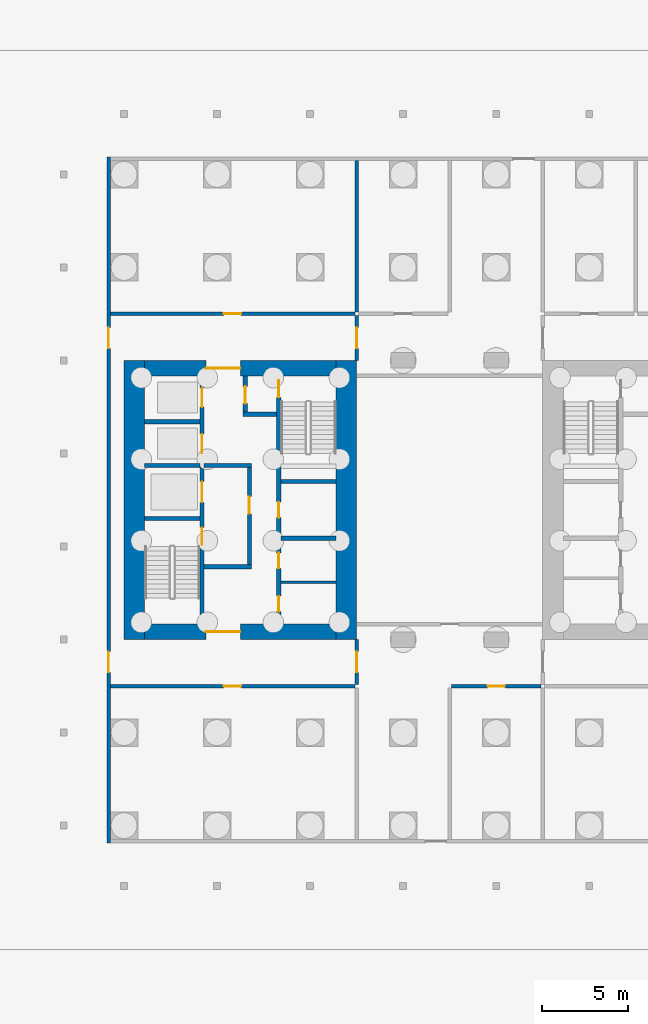
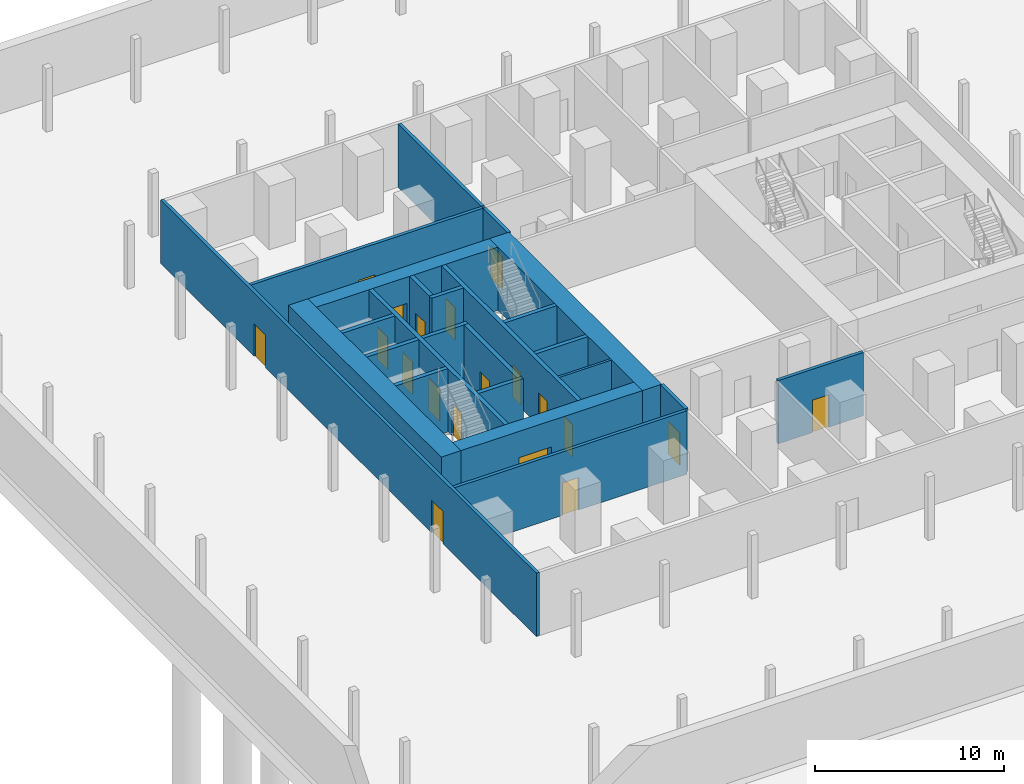
# One storey, part 3 of 8: 24 walls, 19 doors, 19 openings.
"""IFC4 building model written with IfcOpenShell, lengths in metres."""

from ifc_helpers import new_model, si_unit, direction, frame, frame_2d, origin, place, context, subcontext, project, spatial, rectangle, extrude, material, layer, layer_set, type_object, element, fill, save


model = new_model("IFC4")

# Units and contexts
model_context = context("Model", 3, precision=1e-05, world=origin(), true_north=direction((0.0, 1.0)))
body_context = subcontext(model_context, "Body", "Model", "MODEL_VIEW")
ifc_project = project(units=[si_unit("LENGTHUNIT", "METRE"), si_unit("AREAUNIT", "SQUARE_METRE"), si_unit("VOLUMEUNIT", "CUBIC_METRE"), si_unit("PLANEANGLEUNIT", "RADIAN"), si_unit("MASSUNIT", "GRAM", prefix="KILO")], contexts=[model_context])

# Site, building, storey
site_placement = place(None, origin())
site = spatial("IfcSite", under=ifc_project, at=site_placement, CompositionType="ELEMENT")
building_placement = place(site_placement, origin())
building = spatial("IfcBuilding", under=site, at=building_placement, Name="Tabaq Tower and Sports Hall", CompositionType="ELEMENT")
storey_placement = place(building_placement, frame((0.0, 0.0, -9.0)))
storey = spatial("IfcBuildingStorey", under=building, at=storey_placement, Name="B02", CompositionType="ELEMENT", Elevation=-9.0)

# Wall, openings, doors
ifc_material_1 = material(Name="Blockwork", Category="masonry")
ifc_layer_1 = layer(ifc_material_1, 0.199951171875)
ifc_layer_set_1 = layer_set([ifc_layer_1], Name="Blockwork Wall 200 EI 120")
wall_type_1 = type_object("IfcWallType", Name="Blockwork Wall 200 EI 120", PredefinedType="PARTITIONING", material=ifc_layer_set_1)
wall_1_placement = place(storey_placement, frame((4.5, 4.39990234375, 0.0), z_axis=(0.0, 0.0, 1.0), x_axis=(0.0, 1.0, 0.0)))
wall_1 = element("IfcWall", 1, at=wall_1_placement, inside=storey, type_object=wall_type_1, Name="Wall B02-03", PredefinedType="PARTITIONING", context=body_context, shape_type="SweptSolid", body=[
    extrude(rectangle(XDim=39.800048828125, YDim=0.199951171875, at=frame_2d((19.89990234375, 0.0))), origin(), (0.0, 0.0, 1.0), 4.10009765625),
])
opening_1_placement = place(wall_1_placement, frame((9.89990234375, 0.0, 0.0)))
opening_1 = element("IfcOpeningElement", 2, at=opening_1_placement, cuts=wall_1, Name="Opening B02-03", PredefinedType="OPENING", context=body_context, shape_type="SweptSolid", body=[
    extrude(rectangle(XDim=1.199951171875, YDim=2.10009765625, at=frame_2d((0.60009765625, 1.050048828125))), frame((0.0, 0.10986328125, 0.0), z_axis=(0.0, -1.0, 0.0), x_axis=(1.0, 0.0, 0.0)), (0.0, 0.0, 1.0), 0.219970703125),
])
opening_2_placement = place(wall_1_placement, frame((28.699951171875, 0.0, 0.0)))
opening_2 = element("IfcOpeningElement", 3, at=opening_2_placement, cuts=wall_1, Name="Opening B02-04", PredefinedType="OPENING", context=body_context, shape_type="SweptSolid", body=[
    extrude(rectangle(XDim=1.199951171875, YDim=2.10009765625, at=frame_2d((0.60009765625, 1.050048828125))), frame((0.0, 0.10986328125, 0.0), z_axis=(0.0, -1.0, 0.0), x_axis=(1.0, 0.0, 0.0)), (0.0, 0.0, 1.0), 0.219970703125),
])
ifc_material_2 = material(Name="Hollow metal fire door")
door_type_1 = type_object("IfcDoorType", Name="Basement Door 1200 FD120S", OperationType="SINGLE_SWING_LEFT", PredefinedType="DOOR", material=ifc_material_2)
door_1_placement = place(opening_1_placement, origin())
door_1 = element("IfcDoor", 4, at=door_1_placement, inside=storey, type_object=door_type_1, Name="Door B02-03", OperationType="SINGLE_SWING_LEFT", OverallHeight=2.10009765625, OverallWidth=1.199951171875, PredefinedType="DOOR", context=body_context, shape_type="SweptSolid", body=[
    extrude(rectangle(XDim=1.199951171875, YDim=2.10009765625, at=frame_2d((0.60009765625, 1.050048828125))), frame((0.0, 0.02490234375, 0.0), z_axis=(0.0, -1.0, 0.0), x_axis=(1.0, 0.0, 0.0)), (0.0, 0.0, 1.0), 0.050048828125),
])
fill(opening_1, door_1)
door_2_placement = place(opening_2_placement, origin())
door_2 = element("IfcDoor", 5, at=door_2_placement, inside=storey, type_object=door_type_1, Name="Door B02-04", OperationType="SINGLE_SWING_LEFT", OverallHeight=2.10009765625, OverallWidth=1.199951171875, PredefinedType="DOOR", context=body_context, shape_type="SweptSolid", body=[
    extrude(rectangle(XDim=1.199951171875, YDim=2.10009765625, at=frame_2d((0.60009765625, 1.050048828125))), frame((0.0, 0.02490234375, 0.0), z_axis=(0.0, -1.0, 0.0), x_axis=(1.0, 0.0, 0.0)), (0.0, 0.0, 1.0), 0.050048828125),
])
fill(opening_2, door_2)

# Wall
wall_2_placement = place(storey_placement, frame((18.89990234375, 35.199951171875, 0.0), z_axis=(0.0, 0.0, 1.0), x_axis=(0.0, 1.0, 0.0)))
element("IfcWall", 6, at=wall_2_placement, inside=storey, type_object=wall_type_1, Name="Wall B02-08", PredefinedType="PARTITIONING", context=body_context, shape_type="SweptSolid", body=[
    extrude(rectangle(XDim=8.800048828125, YDim=0.199951171875, at=frame_2d((4.39990234375, 0.0))), origin(), (0.0, 0.0, 1.0), 4.10009765625),
])

# Wall, opening, door
wall_3_placement = place(storey_placement, frame((4.60009765625, 13.5, 0.0), z_axis=(0.0, 0.0, 1.0), x_axis=(1.0, 0.0, 0.0)))
wall_3 = element("IfcWall", 7, at=wall_3_placement, inside=storey, type_object=wall_type_1, Name="Wall B02-12", PredefinedType="PARTITIONING", context=body_context, shape_type="SweptSolid", body=[
    extrude(rectangle(XDim=14.199951171875, YDim=0.199951171875, at=frame_2d((7.10009765625, 0.0))), origin(), (0.0, 0.0, 1.0), 4.10009765625),
])
opening_3_placement = place(wall_3_placement, frame((6.60009765625, 0.0, 0.0)))
opening_3 = element("IfcOpeningElement", 8, at=opening_3_placement, cuts=wall_3, Name="Opening B02-07", PredefinedType="OPENING", context=body_context, shape_type="SweptSolid", body=[
    extrude(rectangle(XDim=1.0, YDim=2.10009765625, at=frame_2d((0.5, 1.050048828125))), frame((0.0, 0.10986328125, 0.0), z_axis=(0.0, -1.0, 0.0), x_axis=(1.0, 0.0, 0.0)), (0.0, 0.0, 1.0), 0.219970703125),
])
ifc_material_3 = material(Name="Hollow metal fire door")
door_type_2 = type_object("IfcDoorType", Name="Basement Door 1000 FD120S", OperationType="SINGLE_SWING_LEFT", PredefinedType="DOOR", material=ifc_material_3)
door_3_placement = place(opening_3_placement, origin())
door_3 = element("IfcDoor", 9, at=door_3_placement, inside=storey, type_object=door_type_2, Name="Door B02-07", OperationType="SINGLE_SWING_LEFT", OverallHeight=2.10009765625, OverallWidth=1.0, PredefinedType="DOOR", context=body_context, shape_type="SweptSolid", body=[
    extrude(rectangle(XDim=1.0, YDim=2.10009765625, at=frame_2d((0.5, 1.050048828125))), frame((0.0, 0.02490234375, 0.0), z_axis=(0.0, -1.0, 0.0), x_axis=(1.0, 0.0, 0.0)), (0.0, 0.0, 1.0), 0.050048828125),
])
fill(opening_3, door_3)

wall_4_placement = place(storey_placement, frame((24.39990234375, 13.5, 0.0), z_axis=(0.0, 0.0, 1.0), x_axis=(1.0, 0.0, 0.0)))
wall_4 = element("IfcWall", 10, at=wall_4_placement, inside=storey, type_object=wall_type_1, Name="Wall B02-13", PredefinedType="PARTITIONING", context=body_context, shape_type="SweptSolid", body=[
    extrude(rectangle(XDim=5.2001953125, YDim=0.199951171875, at=frame_2d((2.60009765625, 0.0))), origin(), (0.0, 0.0, 1.0), 4.10009765625),
])
opening_4_placement = place(wall_4_placement, frame((2.10009765625, 0.0, 0.0)))
opening_4 = element("IfcOpeningElement", 11, at=opening_4_placement, cuts=wall_4, Name="Opening B02-08", PredefinedType="OPENING", context=body_context, shape_type="SweptSolid", body=[
    extrude(rectangle(XDim=1.0, YDim=2.10009765625, at=frame_2d((0.5, 1.050048828125))), frame((0.0, 0.10986328125, 0.0), z_axis=(0.0, -1.0, 0.0), x_axis=(1.0, 0.0, 0.0)), (0.0, 0.0, 1.0), 0.219970703125),
])
door_4_placement = place(opening_4_placement, origin())
door_4 = element("IfcDoor", 12, at=door_4_placement, inside=storey, type_object=door_type_2, Name="Door B02-08", OperationType="SINGLE_SWING_LEFT", OverallHeight=2.10009765625, OverallWidth=1.0, PredefinedType="DOOR", context=body_context, shape_type="SweptSolid", body=[
    extrude(rectangle(XDim=1.0, YDim=2.10009765625, at=frame_2d((0.5, 1.050048828125))), frame((0.0, 0.02490234375, 0.0), z_axis=(0.0, -1.0, 0.0), x_axis=(1.0, 0.0, 0.0)), (0.0, 0.0, 1.0), 0.050048828125),
])
fill(opening_4, door_4)

wall_5_placement = place(storey_placement, frame((4.60009765625, 35.10009765625, 0.0), z_axis=(0.0, 0.0, 1.0), x_axis=(1.0, 0.0, 0.0)))
wall_5 = element("IfcWall", 13, at=wall_5_placement, inside=storey, type_object=wall_type_1, Name="Wall B02-15", PredefinedType="PARTITIONING", context=body_context, shape_type="SweptSolid", body=[
    extrude(rectangle(XDim=14.199951171875, YDim=0.199951171875, at=frame_2d((7.10009765625, 0.0))), origin(), (0.0, 0.0, 1.0), 4.10009765625),
])
opening_5_placement = place(wall_5_placement, frame((6.60009765625, 0.0, 0.0)))
opening_5 = element("IfcOpeningElement", 14, at=opening_5_placement, cuts=wall_5, Name="Opening B02-10", PredefinedType="OPENING", context=body_context, shape_type="SweptSolid", body=[
    extrude(rectangle(XDim=1.0, YDim=2.10009765625, at=frame_2d((0.5, 1.050048828125))), frame((0.0, 0.10986328125, 0.0), z_axis=(0.0, -1.0, 0.0), x_axis=(1.0, 0.0, 0.0)), (0.0, 0.0, 1.0), 0.219970703125),
])
door_5_placement = place(opening_5_placement, origin())
door_5 = element("IfcDoor", 15, at=door_5_placement, inside=storey, type_object=door_type_2, Name="Door B02-10", OperationType="SINGLE_SWING_LEFT", OverallHeight=2.10009765625, OverallWidth=1.0, PredefinedType="DOOR", context=body_context, shape_type="SweptSolid", body=[
    extrude(rectangle(XDim=1.0, YDim=2.10009765625, at=frame_2d((0.5, 1.050048828125))), frame((0.0, 0.02490234375, 0.0), z_axis=(0.0, -1.0, 0.0), x_axis=(1.0, 0.0, 0.0)), (0.0, 0.0, 1.0), 0.050048828125),
])
fill(opening_5, door_5)

ifc_material_4 = material(Name="Blockwork", Category="masonry")
ifc_layer_2 = layer(ifc_material_4, 0.199951171875)
ifc_layer_set_2 = layer_set([ifc_layer_2], Name="Blockwork Wall 200 EI 60")
wall_type_2 = type_object("IfcWallType", Name="Blockwork Wall 200 EI 60", PredefinedType="PARTITIONING", material=ifc_layer_set_2)
wall_6_placement = place(storey_placement, frame((18.89990234375, 13.60009765625, 0.0), z_axis=(0.0, 0.0, 1.0), x_axis=(0.0, 1.0, 0.0)))
wall_6 = element("IfcWall", 16, at=wall_6_placement, inside=storey, type_object=wall_type_2, Name="Wall B02-19", PredefinedType="PARTITIONING", context=body_context, shape_type="SweptSolid", body=[
    extrude(rectangle(XDim=2.599853515625, YDim=0.199951171875, at=frame_2d((1.2998046875, 0.0))), origin(), (0.0, 0.0, 1.0), 4.10009765625),
])
opening_6_placement = place(wall_6_placement, frame((0.699951171875, 0.0, 0.0)))
opening_6 = element("IfcOpeningElement", 17, at=opening_6_placement, cuts=wall_6, Name="Opening B02-14", PredefinedType="OPENING", context=body_context, shape_type="SweptSolid", body=[
    extrude(rectangle(XDim=1.199951171875, YDim=2.10009765625, at=frame_2d((0.60009765625, 1.050048828125))), frame((0.0, 0.10986328125, 0.0), z_axis=(0.0, -1.0, 0.0), x_axis=(1.0, 0.0, 0.0)), (0.0, 0.0, 1.0), 0.219970703125),
])
ifc_material_5 = material(Name="Hollow metal fire door")
door_type_3 = type_object("IfcDoorType", Name="Basement Door 1200 FD60S", OperationType="SINGLE_SWING_LEFT", PredefinedType="DOOR", material=ifc_material_5)
door_6_placement = place(opening_6_placement, origin())
door_6 = element("IfcDoor", 18, at=door_6_placement, inside=storey, type_object=door_type_3, Name="Door B02-14", OperationType="SINGLE_SWING_LEFT", OverallHeight=2.10009765625, OverallWidth=1.199951171875, PredefinedType="DOOR", context=body_context, shape_type="SweptSolid", body=[
    extrude(rectangle(XDim=1.199951171875, YDim=2.10009765625, at=frame_2d((0.60009765625, 1.050048828125))), frame((0.0, 0.02490234375, 0.0), z_axis=(0.0, -1.0, 0.0), x_axis=(1.0, 0.0, 0.0)), (0.0, 0.0, 1.0), 0.050048828125),
])
fill(opening_6, door_6)

wall_7_placement = place(storey_placement, frame((18.89990234375, 32.39990234375, 0.0), z_axis=(0.0, 0.0, 1.0), x_axis=(0.0, 1.0, 0.0)))
wall_7 = element("IfcWall", 19, at=wall_7_placement, inside=storey, type_object=wall_type_2, Name="Wall B02-20", PredefinedType="PARTITIONING", context=body_context, shape_type="SweptSolid", body=[
    extrude(rectangle(XDim=2.60009765625, YDim=0.199951171875, at=frame_2d((1.300048828125, 0.0))), origin(), (0.0, 0.0, 1.0), 4.10009765625),
])
opening_7_placement = place(wall_7_placement, frame((0.699951171875, 0.0, 0.0)))
opening_7 = element("IfcOpeningElement", 20, at=opening_7_placement, cuts=wall_7, Name="Opening B02-15", PredefinedType="OPENING", context=body_context, shape_type="SweptSolid", body=[
    extrude(rectangle(XDim=1.199951171875, YDim=2.10009765625, at=frame_2d((0.60009765625, 1.050048828125))), frame((0.0, 0.10986328125, 0.0), z_axis=(0.0, -1.0, 0.0), x_axis=(1.0, 0.0, 0.0)), (0.0, 0.0, 1.0), 0.219970703125),
])
door_7_placement = place(opening_7_placement, origin())
door_7 = element("IfcDoor", 21, at=door_7_placement, inside=storey, type_object=door_type_3, Name="Door B02-15", OperationType="SINGLE_SWING_LEFT", OverallHeight=2.10009765625, OverallWidth=1.199951171875, PredefinedType="DOOR", context=body_context, shape_type="SweptSolid", body=[
    extrude(rectangle(XDim=1.199951171875, YDim=2.10009765625, at=frame_2d((0.60009765625, 1.050048828125))), frame((0.0, 0.02490234375, 0.0), z_axis=(0.0, -1.0, 0.0), x_axis=(1.0, 0.0, 0.0)), (0.0, 0.0, 1.0), 0.050048828125),
])
fill(opening_7, door_7)

# Walls
ifc_material_6 = material(Name="Blockwork", Category="masonry")
ifc_layer_3 = layer(ifc_material_6, 0.14990234375)
ifc_layer_set_3 = layer_set([ifc_layer_3], Name="Core room partition 150 Blockwork")
wall_type_3 = type_object("IfcWallType", Name="Core room partition 150 Blockwork", PredefinedType="PARTITIONING", material=ifc_layer_set_3)
wall_8_placement = place(storey_placement, frame((14.5, 19.52490234375, 0.0), z_axis=(0.0, 0.0, 1.0), x_axis=(1.0, 0.0, 0.0)))
element("IfcWall", 22, at=wall_8_placement, inside=storey, type_object=wall_type_3, Name="Core room partition W B02", PredefinedType="PARTITIONING", context=body_context, shape_type="SweptSolid", body=[
    extrude(rectangle(XDim=3.199951171875, YDim=0.14990234375, at=frame_2d((1.60009765625, 0.0))), origin(), (0.0, 0.0, 1.0), 4.10009765625),
])
ifc_material_7 = material(Name="Concrete C60/75", Category="concrete")
ifc_layer_4 = layer(ifc_material_7, 1.199951171875)
ifc_layer_set_4 = layer_set([ifc_layer_4], Name="Core wall 1200 Concrete C60/75")
wall_type_4 = type_object("IfcWallType", Name="Core wall 1200 Concrete C60/75", PredefinedType="SOLIDWALL", material=ifc_layer_set_4)
for number, where, z_axis, x_axis, name in (
    (23, (6.0, 16.199951171875, 0.0), (0.0, 0.0, 1.0), (0.0, 1.0, 0.0), "Core wall W B02"),
    (24, (18.300048828125, 32.39990234375, 0.0), (0.0, 0.0, 1.0), (0.0, -1.0, 0.0), "Core wall W B02"),
):
    element("IfcWall", number, at=place(storey_placement, frame(where, z_axis=z_axis, x_axis=x_axis)), inside=storey, type_object=wall_type_4, Name=name, PredefinedType="SOLIDWALL", context=body_context, shape_type="SweptSolid", body=[
        extrude(rectangle(XDim=16.199951171875, YDim=1.199951171875, at=frame_2d((8.10009765625, 0.0))), origin(), (0.0, 0.0, 1.0), 4.10009765625),
    ])

# Wall, opening, door
ifc_material_8 = material(Name="Concrete C60/75", Category="concrete")
ifc_layer_5 = layer(ifc_material_8, 0.89990234375)
ifc_layer_set_5 = layer_set([ifc_layer_5], Name="Core wall 900 Concrete C60/75")
wall_type_5 = type_object("IfcWallType", Name="Core wall 900 Concrete C60/75", PredefinedType="SOLIDWALL", material=ifc_layer_set_5)
wall_9_placement = place(storey_placement, frame((17.699951171875, 16.64990234375, 0.0), z_axis=(0.0, 0.0, 1.0), x_axis=(-1.0, 0.0, 0.0)))
wall_9 = element("IfcWall", 25, at=wall_9_placement, inside=storey, type_object=wall_type_5, Name="Core wall W B02", PredefinedType="SOLIDWALL", context=body_context, shape_type="SweptSolid", body=[
    extrude(rectangle(XDim=11.099853515625, YDim=0.89990234375, at=frame_2d((5.5498046875, 0.0))), origin(), (0.0, 0.0, 1.0), 4.10009765625),
])
opening_8_placement = place(wall_9_placement, frame((5.550048828125, 0.0, 0.0)))
opening_8 = element("IfcOpeningElement", 26, at=opening_8_placement, cuts=wall_9, Name="Opening PD-WB02-01", PredefinedType="OPENING", context=body_context, shape_type="SweptSolid", body=[
    extrude(rectangle(XDim=2.0, YDim=2.39990234375, at=frame_2d((1.0, 1.199951171875))), frame((0.0, 0.449951171875, 0.0), z_axis=(0.0, -1.0, 0.0), x_axis=(1.0, 0.0, 0.0)), (0.0, 0.0, 1.0), 0.89990234375),
])
ifc_material_9 = material(Name="Steel fire door", Category="steel")
door_type_4 = type_object("IfcDoorType", Name="Core entrance door 2000", OperationType="DOUBLE_DOOR_SINGLE_SWING", PredefinedType="DOOR", material=ifc_material_9)
door_8_placement = place(opening_8_placement, origin())
door_8 = element("IfcDoor", 27, at=door_8_placement, inside=storey, type_object=door_type_4, Name="Core entrance south W B02", OperationType="DOUBLE_DOOR_SINGLE_SWING", OverallHeight=2.39990234375, OverallWidth=2.0, PredefinedType="DOOR", context=body_context, shape_type="SweptSolid", body=[
    extrude(rectangle(XDim=2.0, YDim=2.39990234375, at=frame_2d((1.0, 1.199951171875))), frame((0.0, 0.02490234375, 0.0), z_axis=(0.0, -1.0, 0.0), x_axis=(1.0, 0.0, 0.0)), (0.0, 0.0, 1.0), 0.050048828125),
])
fill(opening_8, door_8)

wall_10_placement = place(storey_placement, frame((6.60009765625, 31.949951171875, 0.0), z_axis=(0.0, 0.0, 1.0), x_axis=(1.0, 0.0, 0.0)))
wall_10 = element("IfcWall", 28, at=wall_10_placement, inside=storey, type_object=wall_type_5, Name="Core wall W B02", PredefinedType="SOLIDWALL", context=body_context, shape_type="SweptSolid", body=[
    extrude(rectangle(XDim=11.099853515625, YDim=0.89990234375, at=frame_2d((5.5498046875, 0.0))), origin(), (0.0, 0.0, 1.0), 4.10009765625),
])
opening_9_placement = place(wall_10_placement, frame((3.550048828125, 0.0, 0.0)))
opening_9 = element("IfcOpeningElement", 29, at=opening_9_placement, cuts=wall_10, Name="Opening PD-WB02-02", PredefinedType="OPENING", context=body_context, shape_type="SweptSolid", body=[
    extrude(rectangle(XDim=2.0, YDim=2.39990234375, at=frame_2d((1.0, 1.199951171875))), frame((0.0, 0.449951171875, 0.0), z_axis=(0.0, -1.0, 0.0), x_axis=(1.0, 0.0, 0.0)), (0.0, 0.0, 1.0), 0.89990234375),
])
door_9_placement = place(opening_9_placement, origin())
door_9 = element("IfcDoor", 30, at=door_9_placement, inside=storey, type_object=door_type_4, Name="Core entrance north W B02", OperationType="DOUBLE_DOOR_SINGLE_SWING", OverallHeight=2.39990234375, OverallWidth=2.0, PredefinedType="DOOR", context=body_context, shape_type="SweptSolid", body=[
    extrude(rectangle(XDim=2.0, YDim=2.39990234375, at=frame_2d((1.0, 1.199951171875))), frame((0.0, 0.02490234375, 0.0), z_axis=(0.0, -1.0, 0.0), x_axis=(1.0, 0.0, 0.0)), (0.0, 0.0, 1.0), 0.050048828125),
])
fill(opening_9, door_9)

# Wall, openings, doors
ifc_material_10 = material(Name="Concrete C40/50", Category="concrete")
ifc_layer_6 = layer(ifc_material_10, 0.25)
ifc_layer_set_6 = layer_set([ifc_layer_6], Name="Shaft and stair wall 250 Concrete C40/50")
wall_type_6 = type_object("IfcWallType", Name="Shaft and stair wall 250 Concrete C40/50", PredefinedType="SOLIDWALL", material=ifc_layer_set_6)
wall_11_placement = place(storey_placement, frame((9.925048828125, 17.10009765625, 0.0), z_axis=(0.0, 0.0, 1.0), x_axis=(0.0, 1.0, 0.0)))
wall_11 = element("IfcWall", 31, at=wall_11_placement, inside=storey, type_object=wall_type_6, Name="Shaft wall W B02", PredefinedType="SOLIDWALL", context=body_context, shape_type="SweptSolid", body=[
    extrude(rectangle(XDim=14.39990234375, YDim=0.25, at=frame_2d((7.199951171875, 0.0))), origin(), (0.0, 0.0, 1.0), 4.10009765625),
])
opening_10_placement = place(wall_11_placement, frame((4.60009765625, 0.0, 0.0)))
opening_10 = element("IfcOpeningElement", 32, at=opening_10_placement, cuts=wall_11, Name="Opening SD-WB02-03", PredefinedType="OPENING", context=body_context, shape_type="SweptSolid", body=[
    extrude(rectangle(XDim=1.0, YDim=2.10009765625, at=frame_2d((0.5, 1.050048828125))), frame((0.0, 0.125, 0.0), z_axis=(0.0, -1.0, 0.0), x_axis=(1.0, 0.0, 0.0)), (0.0, 0.0, 1.0), 0.25),
])
opening_11_placement = place(wall_11_placement, frame((7.0625, 0.0, 0.0)))
opening_11 = element("IfcOpeningElement", 33, at=opening_11_placement, cuts=wall_11, Name="Opening LD-FF1-B02", PredefinedType="OPENING", context=body_context, shape_type="SweptSolid", body=[
    extrude(rectangle(XDim=1.199951171875, YDim=2.10009765625, at=frame_2d((0.60009765625, 1.050048828125))), frame((0.0, 0.125, 0.0), z_axis=(0.0, -1.0, 0.0), x_axis=(1.0, 0.0, 0.0)), (0.0, 0.0, 1.0), 0.25),
])
opening_12_placement = place(wall_11_placement, frame((9.925048828125, 0.0, 0.0)))
opening_12 = element("IfcOpeningElement", 34, at=opening_12_placement, cuts=wall_11, Name="Opening LD-LR1-B02", PredefinedType="OPENING", context=body_context, shape_type="SweptSolid", body=[
    extrude(rectangle(XDim=1.10009765625, YDim=2.10009765625, at=frame_2d((0.550048828125, 1.050048828125))), frame((0.0, 0.125, 0.0), z_axis=(0.0, -1.0, 0.0), x_axis=(1.0, 0.0, 0.0)), (0.0, 0.0, 1.0), 0.25),
])
opening_13_placement = place(wall_11_placement, frame((12.58740234375, 0.0, 0.0)))
opening_13 = element("IfcOpeningElement", 35, at=opening_13_placement, cuts=wall_11, Name="Opening LD-LR2-B02", PredefinedType="OPENING", context=body_context, shape_type="SweptSolid", body=[
    extrude(rectangle(XDim=1.10009765625, YDim=2.10009765625, at=frame_2d((0.550048828125, 1.050048828125))), frame((0.0, 0.125, 0.0), z_axis=(0.0, -1.0, 0.0), x_axis=(1.0, 0.0, 0.0)), (0.0, 0.0, 1.0), 0.25),
])
ifc_material_11 = material(Name="Stainless steel", Category="steel")
door_type_5 = type_object("IfcDoorType", Name="Lift landing door 1100", OperationType="DOUBLE_DOOR_SLIDING", PredefinedType="DOOR", material=ifc_material_11)
door_10_placement = place(opening_12_placement, origin())
door_10 = element("IfcDoor", 36, at=door_10_placement, inside=storey, type_object=door_type_5, Name="Lift landing door LR1 W B02", OperationType="DOUBLE_DOOR_SLIDING", OverallHeight=2.10009765625, OverallWidth=1.10009765625, PredefinedType="DOOR", context=body_context, shape_type="SweptSolid", body=[
    extrude(rectangle(XDim=1.10009765625, YDim=2.10009765625, at=frame_2d((0.550048828125, 1.050048828125))), frame((0.0, 0.02490234375, 0.0), z_axis=(0.0, -1.0, 0.0), x_axis=(1.0, 0.0, 0.0)), (0.0, 0.0, 1.0), 0.050048828125),
])
fill(opening_12, door_10)
door_11_placement = place(opening_13_placement, origin())
door_11 = element("IfcDoor", 37, at=door_11_placement, inside=storey, type_object=door_type_5, Name="Lift landing door LR2 W B02", OperationType="DOUBLE_DOOR_SLIDING", OverallHeight=2.10009765625, OverallWidth=1.10009765625, PredefinedType="DOOR", context=body_context, shape_type="SweptSolid", body=[
    extrude(rectangle(XDim=1.10009765625, YDim=2.10009765625, at=frame_2d((0.550048828125, 1.050048828125))), frame((0.0, 0.02490234375, 0.0), z_axis=(0.0, -1.0, 0.0), x_axis=(1.0, 0.0, 0.0)), (0.0, 0.0, 1.0), 0.050048828125),
])
fill(opening_13, door_11)
ifc_material_12 = material(Name="Stainless steel", Category="steel")
door_type_6 = type_object("IfcDoorType", Name="Lift landing door 1200", OperationType="DOUBLE_DOOR_SLIDING", PredefinedType="DOOR", material=ifc_material_12)
door_12_placement = place(opening_11_placement, origin())
door_12 = element("IfcDoor", 38, at=door_12_placement, inside=storey, type_object=door_type_6, Name="Lift landing door FF1 W B02", OperationType="DOUBLE_DOOR_SLIDING", OverallHeight=2.10009765625, OverallWidth=1.199951171875, PredefinedType="DOOR", context=body_context, shape_type="SweptSolid", body=[
    extrude(rectangle(XDim=1.199951171875, YDim=2.10009765625, at=frame_2d((0.60009765625, 1.050048828125))), frame((0.0, 0.02490234375, 0.0), z_axis=(0.0, -1.0, 0.0), x_axis=(1.0, 0.0, 0.0)), (0.0, 0.0, 1.0), 0.050048828125),
])
fill(opening_11, door_12)
ifc_material_13 = material(Name="Steel fire door", Category="steel")
door_type_7 = type_object("IfcDoorType", Name="Stair door 1000", OperationType="SINGLE_SWING_LEFT", PredefinedType="DOOR", material=ifc_material_13)
door_13_placement = place(opening_10_placement, origin())
door_13 = element("IfcDoor", 39, at=door_13_placement, inside=storey, type_object=door_type_7, Name="Stair door ST1 W B02", OperationType="SINGLE_SWING_LEFT", OverallHeight=2.10009765625, OverallWidth=1.0, PredefinedType="DOOR", context=body_context, shape_type="SweptSolid", body=[
    extrude(rectangle(XDim=1.0, YDim=2.10009765625, at=frame_2d((0.5, 1.050048828125))), frame((0.0, 0.02490234375, 0.0), z_axis=(0.0, -1.0, 0.0), x_axis=(1.0, 0.0, 0.0)), (0.0, 0.0, 1.0), 0.050048828125),
])
fill(opening_10, door_13)

wall_12_placement = place(storey_placement, frame((14.375, 17.10009765625, 0.0), z_axis=(0.0, 0.0, 1.0), x_axis=(0.0, 1.0, 0.0)))
wall_12 = element("IfcWall", 40, at=wall_12_placement, inside=storey, type_object=wall_type_6, Name="Shaft wall W B02", PredefinedType="SOLIDWALL", context=body_context, shape_type="SweptSolid", body=[
    extrude(rectangle(XDim=14.39990234375, YDim=0.25, at=frame_2d((7.199951171875, 0.0))), origin(), (0.0, 0.0, 1.0), 4.10009765625),
])
opening_14_placement = place(wall_12_placement, frame((13.14990234375, 0.0, 0.0)))
opening_14 = element("IfcOpeningElement", 41, at=opening_14_placement, cuts=wall_12, Name="Opening SD-WB02-05", PredefinedType="OPENING", context=body_context, shape_type="SweptSolid", body=[
    extrude(rectangle(XDim=1.0, YDim=2.10009765625, at=frame_2d((0.5, 1.050048828125))), frame((0.0, 0.125, 0.0), z_axis=(0.0, -1.0, 0.0), x_axis=(1.0, 0.0, 0.0)), (0.0, 0.0, 1.0), 0.25),
])
opening_15_placement = place(wall_12_placement, frame((0.72509765625, 0.0, 0.0)))
opening_15 = element("IfcOpeningElement", 42, at=opening_15_placement, cuts=wall_12, Name="Opening RD-WB02-10", PredefinedType="OPENING", context=body_context, shape_type="SweptSolid", body=[
    extrude(rectangle(XDim=0.89990234375, YDim=2.10009765625, at=frame_2d((0.449951171875, 1.050048828125))), frame((0.0, 0.125, 0.0), z_axis=(0.0, -1.0, 0.0), x_axis=(1.0, 0.0, 0.0)), (0.0, 0.0, 1.0), 0.25),
])
opening_16_placement = place(wall_12_placement, frame((3.22509765625, 0.0, 0.0)))
opening_16 = element("IfcOpeningElement", 43, at=opening_16_placement, cuts=wall_12, Name="Opening RD-WB02-11", PredefinedType="OPENING", context=body_context, shape_type="SweptSolid", body=[
    extrude(rectangle(XDim=0.89990234375, YDim=2.10009765625, at=frame_2d((0.449951171875, 1.050048828125))), frame((0.0, 0.125, 0.0), z_axis=(0.0, -1.0, 0.0), x_axis=(1.0, 0.0, 0.0)), (0.0, 0.0, 1.0), 0.25),
])
opening_17_placement = place(wall_12_placement, frame((6.175048828125, 0.0, 0.0)))
opening_17 = element("IfcOpeningElement", 44, at=opening_17_placement, cuts=wall_12, Name="Opening RD-WB02-12", PredefinedType="OPENING", context=body_context, shape_type="SweptSolid", body=[
    extrude(rectangle(XDim=0.89990234375, YDim=2.10009765625, at=frame_2d((0.449951171875, 1.050048828125))), frame((0.0, 0.125, 0.0), z_axis=(0.0, -1.0, 0.0), x_axis=(1.0, 0.0, 0.0)), (0.0, 0.0, 1.0), 0.25),
])
ifc_material_14 = material(Name="Steel fire door", Category="steel")
door_type_8 = type_object("IfcDoorType", Name="Core room door 900", OperationType="SINGLE_SWING_LEFT", PredefinedType="DOOR", material=ifc_material_14)
door_14_placement = place(opening_15_placement, origin())
door_14 = element("IfcDoor", 45, at=door_14_placement, inside=storey, type_object=door_type_8, Name="Door Pump Room W B02", OperationType="SINGLE_SWING_LEFT", OverallHeight=2.10009765625, OverallWidth=0.89990234375, PredefinedType="DOOR", context=body_context, shape_type="SweptSolid", body=[
    extrude(rectangle(XDim=0.89990234375, YDim=2.10009765625, at=frame_2d((0.449951171875, 1.050048828125))), frame((0.0, 0.02490234375, 0.0), z_axis=(0.0, -1.0, 0.0), x_axis=(1.0, 0.0, 0.0)), (0.0, 0.0, 1.0), 0.050048828125),
])
fill(opening_15, door_14)
door_15_placement = place(opening_16_placement, origin())
door_15 = element("IfcDoor", 46, at=door_15_placement, inside=storey, type_object=door_type_8, Name="Door Valve Room W B02", OperationType="SINGLE_SWING_LEFT", OverallHeight=2.10009765625, OverallWidth=0.89990234375, PredefinedType="DOOR", context=body_context, shape_type="SweptSolid", body=[
    extrude(rectangle(XDim=0.89990234375, YDim=2.10009765625, at=frame_2d((0.449951171875, 1.050048828125))), frame((0.0, 0.02490234375, 0.0), z_axis=(0.0, -1.0, 0.0), x_axis=(1.0, 0.0, 0.0)), (0.0, 0.0, 1.0), 0.050048828125),
])
fill(opening_16, door_15)
door_16_placement = place(opening_17_placement, origin())
door_16 = element("IfcDoor", 47, at=door_16_placement, inside=storey, type_object=door_type_8, Name="Door Riser Room W B02", OperationType="SINGLE_SWING_LEFT", OverallHeight=2.10009765625, OverallWidth=0.89990234375, PredefinedType="DOOR", context=body_context, shape_type="SweptSolid", body=[
    extrude(rectangle(XDim=0.89990234375, YDim=2.10009765625, at=frame_2d((0.449951171875, 1.050048828125))), frame((0.0, 0.02490234375, 0.0), z_axis=(0.0, -1.0, 0.0), x_axis=(1.0, 0.0, 0.0)), (0.0, 0.0, 1.0), 0.050048828125),
])
fill(opening_17, door_16)
door_17_placement = place(opening_14_placement, origin())
door_17 = element("IfcDoor", 48, at=door_17_placement, inside=storey, type_object=door_type_7, Name="Stair door ST2 W B02", OperationType="SINGLE_SWING_LEFT", OverallHeight=2.10009765625, OverallWidth=1.0, PredefinedType="DOOR", context=body_context, shape_type="SweptSolid", body=[
    extrude(rectangle(XDim=1.0, YDim=2.10009765625, at=frame_2d((0.5, 1.050048828125))), frame((0.0, 0.02490234375, 0.0), z_axis=(0.0, -1.0, 0.0), x_axis=(1.0, 0.0, 0.0)), (0.0, 0.0, 1.0), 0.050048828125),
])
fill(opening_14, door_17)

# Walls
for number, where, z_axis, x_axis, name in (
    (49, (6.60009765625, 23.22509765625, 0.0), (0.0, 0.0, 1.0), (1.0, 0.0, 0.0), "Stair enclosure wall W B02"),
    (50, (14.5, 25.375, 0.0), (0.0, 0.0, 1.0), (1.0, 0.0, 0.0), "Stair enclosure wall W B02"),
    (51, (14.5, 22.074951171875, 0.0), (0.0, 0.0, 1.0), (1.0, 0.0, 0.0), "Shaft wall W B02"),
    (52, (6.60009765625, 26.300048828125, 0.0), (0.0, 0.0, 1.0), (1.0, 0.0, 0.0), "Shaft wall W B02"),
):
    element("IfcWall", number, at=place(storey_placement, frame(where, z_axis=z_axis, x_axis=x_axis)), inside=storey, type_object=wall_type_6, Name=name, PredefinedType="SOLIDWALL", context=body_context, shape_type="SweptSolid", body=[
        extrude(rectangle(XDim=3.199951171875, YDim=0.25, at=frame_2d((1.60009765625, 0.0))), origin(), (0.0, 0.0, 1.0), 4.10009765625),
    ])
for number, where, z_axis, x_axis, name in (
    (53, (10.050048828125, 26.300048828125, 0.0), (0.0, 0.0, 1.0), (1.0, 0.0, 0.0), "Fire-fighting lobby wall W B02"),
    (54, (10.050048828125, 20.425048828125, 0.0), (0.0, 0.0, 1.0), (1.0, 0.0, 0.0), "Fire-fighting lobby wall W B02"),
):
    element("IfcWall", number, at=place(storey_placement, frame(where, z_axis=z_axis, x_axis=x_axis)), inside=storey, type_object=wall_type_6, Name=name, PredefinedType="SOLIDWALL", context=body_context, shape_type="SweptSolid", body=[
        extrude(rectangle(XDim=2.75, YDim=0.25, at=frame_2d((1.375, 0.0))), origin(), (0.0, 0.0, 1.0), 4.10009765625),
    ])

# Wall, opening, door
wall_13_placement = place(storey_placement, frame((12.425048828125, 29.39990234375, 0.0), z_axis=(0.0, 0.0, 1.0), x_axis=(0.0, 1.0, 0.0)))
wall_13 = element("IfcWall", 55, at=wall_13_placement, inside=storey, type_object=wall_type_6, Name="Fire-fighting lobby wall W B02", PredefinedType="SOLIDWALL", context=body_context, shape_type="SweptSolid", body=[
    extrude(rectangle(XDim=2.10009765625, YDim=0.25, at=frame_2d((1.050048828125, 0.0))), origin(), (0.0, 0.0, 1.0), 4.10009765625),
])
opening_18_placement = place(wall_13_placement, frame((0.5, 0.0, 0.0)))
opening_18 = element("IfcOpeningElement", 56, at=opening_18_placement, cuts=wall_13, Name="Opening FD-WB02-06", PredefinedType="OPENING", context=body_context, shape_type="SweptSolid", body=[
    extrude(rectangle(XDim=1.0, YDim=2.10009765625, at=frame_2d((0.5, 1.050048828125))), frame((0.0, 0.125, 0.0), z_axis=(0.0, -1.0, 0.0), x_axis=(1.0, 0.0, 0.0)), (0.0, 0.0, 1.0), 0.25),
])
ifc_material_15 = material(Name="Steel fire door", Category="steel")
door_type_9 = type_object("IfcDoorType", Name="Fire-fighting lobby door 1000", OperationType="SINGLE_SWING_LEFT", PredefinedType="DOOR", material=ifc_material_15)
door_18_placement = place(opening_18_placement, origin())
door_18 = element("IfcDoor", 57, at=door_18_placement, inside=storey, type_object=door_type_9, Name="Stair lobby door W B02", OperationType="SINGLE_SWING_LEFT", OverallHeight=2.10009765625, OverallWidth=1.0, PredefinedType="DOOR", context=body_context, shape_type="SweptSolid", body=[
    extrude(rectangle(XDim=1.0, YDim=2.10009765625, at=frame_2d((0.5, 1.050048828125))), frame((0.0, 0.02490234375, 0.0), z_axis=(0.0, -1.0, 0.0), x_axis=(1.0, 0.0, 0.0)), (0.0, 0.0, 1.0), 0.050048828125),
])
fill(opening_18, door_18)

# Wall
wall_14_placement = place(storey_placement, frame((12.300048828125, 29.27490234375, 0.0), z_axis=(0.0, 0.0, 1.0), x_axis=(1.0, 0.0, 0.0)))
element("IfcWall", 58, at=wall_14_placement, inside=storey, type_object=wall_type_6, Name="Fire-fighting lobby wall W B02", PredefinedType="SOLIDWALL", context=body_context, shape_type="SweptSolid", body=[
    extrude(rectangle(XDim=1.949951171875, YDim=0.25, at=frame_2d((0.97509765625, 0.0))), origin(), (0.0, 0.0, 1.0), 4.10009765625),
])

# Wall, opening, door
wall_15_placement = place(storey_placement, frame((12.675048828125, 20.550048828125, 0.0), z_axis=(0.0, 0.0, 1.0), x_axis=(0.0, 1.0, 0.0)))
wall_15 = element("IfcWall", 59, at=wall_15_placement, inside=storey, type_object=wall_type_6, Name="Fire-fighting lobby wall W B02", PredefinedType="SOLIDWALL", context=body_context, shape_type="SweptSolid", body=[
    extrude(rectangle(XDim=5.625, YDim=0.25, at=frame_2d((2.8125, 0.0))), origin(), (0.0, 0.0, 1.0), 4.10009765625),
])
opening_19_placement = place(wall_15_placement, frame((2.949951171875, 0.0, 0.0)))
opening_19 = element("IfcOpeningElement", 60, at=opening_19_placement, cuts=wall_15, Name="Opening FD-WB02-04", PredefinedType="OPENING", context=body_context, shape_type="SweptSolid", body=[
    extrude(rectangle(XDim=1.0, YDim=2.10009765625, at=frame_2d((0.5, 1.050048828125))), frame((0.0, 0.125, 0.0), z_axis=(0.0, -1.0, 0.0), x_axis=(1.0, 0.0, 0.0)), (0.0, 0.0, 1.0), 0.25),
])
door_19_placement = place(opening_19_placement, origin())
door_19 = element("IfcDoor", 61, at=door_19_placement, inside=storey, type_object=door_type_9, Name="Fire-fighting lobby door W B02", OperationType="SINGLE_SWING_LEFT", OverallHeight=2.10009765625, OverallWidth=1.0, PredefinedType="DOOR", context=body_context, shape_type="SweptSolid", body=[
    extrude(rectangle(XDim=1.0, YDim=2.10009765625, at=frame_2d((0.5, 1.050048828125))), frame((0.0, 0.02490234375, 0.0), z_axis=(0.0, -1.0, 0.0), x_axis=(1.0, 0.0, 0.0)), (0.0, 0.0, 1.0), 0.050048828125),
])
fill(opening_19, door_19)

# Wall
wall_16_placement = place(storey_placement, frame((6.60009765625, 28.85009765625, 0.0), z_axis=(0.0, 0.0, 1.0), x_axis=(1.0, 0.0, 0.0)))
element("IfcWall", 62, at=wall_16_placement, inside=storey, type_object=wall_type_6, Name="Shaft wall W B02", PredefinedType="SOLIDWALL", context=body_context, shape_type="SweptSolid", body=[
    extrude(rectangle(XDim=3.199951171875, YDim=0.25, at=frame_2d((1.60009765625, 0.0))), origin(), (0.0, 0.0, 1.0), 4.10009765625),
])

save(model, "model.ifc")
